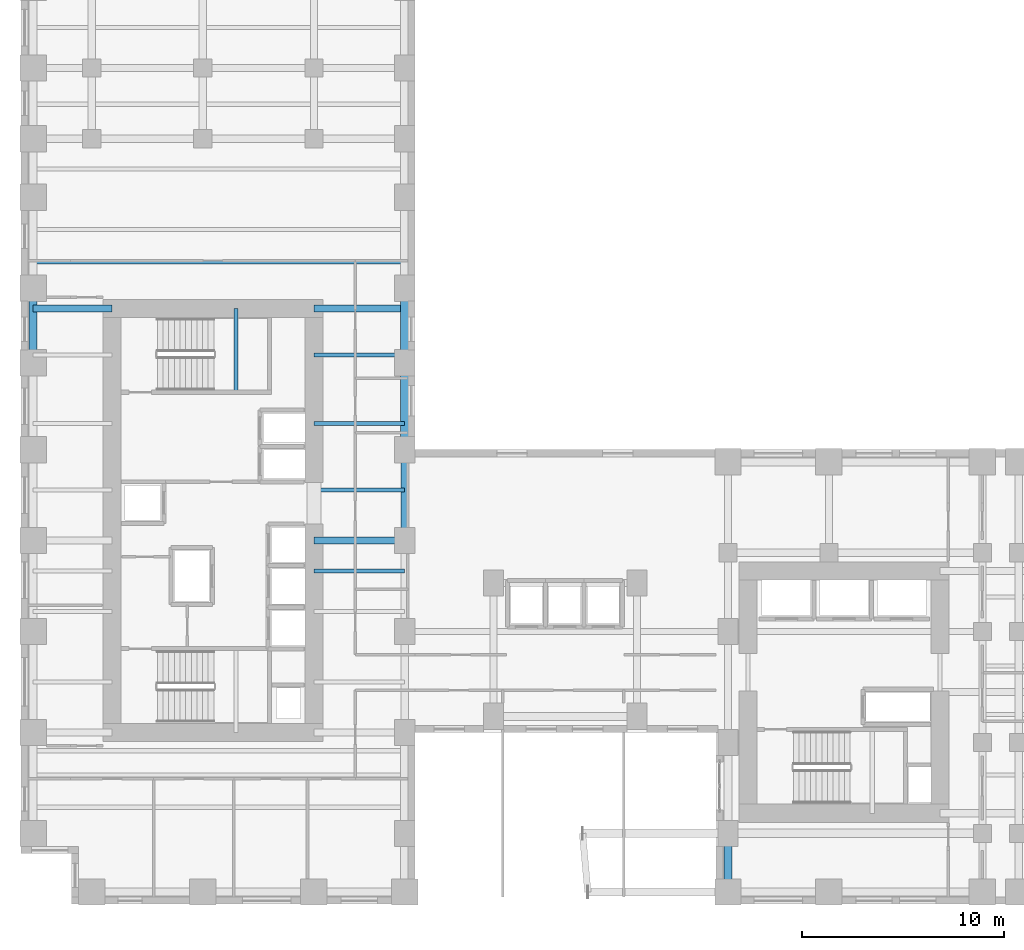
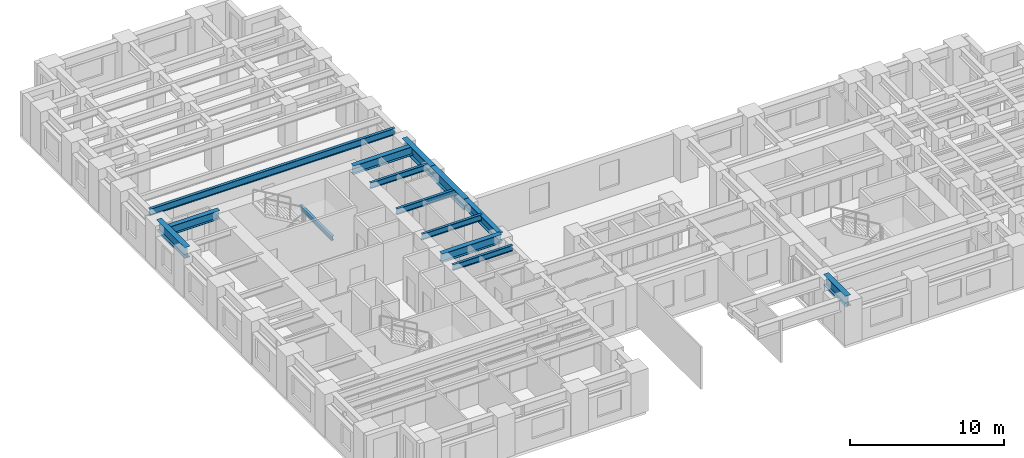
# One storey, part 2 of 14: 14 beams.
"""IFC4 building model written with IfcOpenShell, lengths in metres."""

from ifc_helpers import new_model, si_unit, direction, frame, origin, origin_2d, place, context, subcontext, project, spatial, i_section, extrude, source, transform, mapped, material, material_profile, profile_set, type_object, element, save


model = new_model("IFC4")

# Units and contexts
model_context = context("Model", 3, precision=1e-05, world=origin(), true_north=direction((0.0, 1.0)))
body_context = subcontext(model_context, "Body", "Model", "MODEL_VIEW")
ifc_project = project(units=[si_unit("LENGTHUNIT", "METRE"), si_unit("AREAUNIT", "SQUARE_METRE"), si_unit("VOLUMEUNIT", "CUBIC_METRE"), si_unit("PLANEANGLEUNIT", "RADIAN"), si_unit("MASSUNIT", "GRAM", prefix="KILO")], contexts=[model_context])

# Site, building, storey
site_placement = place(None, origin())
site = spatial("IfcSite", under=ifc_project, at=site_placement, CompositionType="ELEMENT")
building_placement = place(site_placement, origin())
building = spatial("IfcBuilding", under=site, at=building_placement, Name="Kharzan Plaza Tower", CompositionType="ELEMENT")
storey_placement = place(building_placement, frame((0.0, 0.0, 29.699951171875)))
storey = spatial("IfcBuildingStorey", under=building, at=storey_placement, Name="L07", CompositionType="ELEMENT", Elevation=29.699951171875)

# Beams
ifc_material = material(Name="Steel S355", Category="steel")
ifc_material_profile_1 = material_profile(ifc_material, i_section(OverallWidth=0.205078125, OverallDepth=0.35400390625, WebThickness=0.009521484375, FlangeThickness=0.016845703125, at=origin_2d()), Name="W360x79")
ifc_profile_set_1 = profile_set([ifc_material_profile_1], Name="Steel S355")
beam_type_1 = type_object("IfcBeamType", Name="BM-LNT360", PredefinedType="LINTEL", material=ifc_profile_set_1)
shared_shape_1 = source(origin(), body_context, "Body", "SweptSolid", [
    extrude(i_section(OverallWidth=0.205078125, OverallDepth=0.35400390625, WebThickness=0.009521484375, FlangeThickness=0.016845703125, at=origin_2d()), origin(), (0.0, 0.0, 1.0), 4.155029296875),
])
beam_1_placement = place(storey_placement, frame((10.64990234375, 25.344970703125, 1.423095703125), z_axis=(0.0, 1.0, 0.0), x_axis=(-1.0, 0.0, 0.0)))
element("IfcBeam", 1, at=beam_1_placement, inside=storey, type_object=beam_type_1, Name="L07 Stair ST-2 Half-Landing Beam", PredefinedType="LINTEL", context=body_context, shape_type="MappedRepresentation", body=[
    mapped(shared_shape_1, transform((0.0, 0.0, 0.0), x_axis=(1.0, 0.0, 0.0), y_axis=(0.0, 1.0, 0.0), z_axis=(0.0, 0.0, 1.0))),
])
ifc_material_profile_2 = material_profile(ifc_material, i_section(OverallWidth=0.35498046875, OverallDepth=0.695068359375, WebThickness=0.015380859375, FlangeThickness=0.02490234375, at=origin_2d()), Name="W690x217")
ifc_profile_set_2 = profile_set([ifc_material_profile_2], Name="Steel S355")
beam_type_2 = type_object("IfcBeamType", Name="BM-FG690A", PredefinedType="BEAM", material=ifc_profile_set_2)
shared_shape_2 = source(origin(), body_context, "Body", "SweptSolid", [
    extrude(i_section(OverallWidth=0.35498046875, OverallDepth=0.695068359375, WebThickness=0.015380859375, FlangeThickness=0.02490234375, at=origin_2d()), origin(), (0.0, 0.0, 1.0), 4.5),
])
for number, where, z_axis, x_axis, name in (
    (2, (14.5, 18.0, 3.032470703125), (1.0, 0.0, 0.0), (0.0, 1.0, 0.0), "L07 Core-A East Floor Girder 2"),
    (3, (14.5, 29.5, 3.032470703125), (1.0, 0.0, 0.0), (0.0, 1.0, 0.0), "L07 Core-A East Floor Girder 3"),
    (4, (19.0, 18.0, 3.032470703125), (0.0, 1.0, 0.0), (-1.0, 0.0, 0.0), "L07 Interior Frame Girder"),
):
    element("IfcBeam", number, at=place(storey_placement, frame(where, z_axis=z_axis, x_axis=x_axis)), inside=storey, type_object=beam_type_2, Name=name, PredefinedType="BEAM", context=body_context, shape_type="MappedRepresentation", body=[
        mapped(shared_shape_2, transform((0.0, 0.0, 0.0), x_axis=(1.0, 0.0, 0.0), y_axis=(0.0, 1.0, 0.0), z_axis=(0.0, 0.0, 1.0))),
    ])
shared_shape_3 = source(origin(), body_context, "Body", "SweptSolid", [
    extrude(i_section(OverallWidth=0.35498046875, OverallDepth=0.695068359375, WebThickness=0.015380859375, FlangeThickness=0.02490234375, at=origin_2d()), origin(), (0.0, 0.0, 1.0), 3.89990234375),
])
beam_2_placement = place(storey_placement, frame((0.60009765625, 29.5, 3.032470703125), z_axis=(1.0, 0.0, 0.0), x_axis=(0.0, 1.0, 0.0)))
element("IfcBeam", 5, at=beam_2_placement, inside=storey, type_object=beam_type_2, Name="L07 Core-A West Floor Girder 3", PredefinedType="BEAM", context=body_context, shape_type="MappedRepresentation", body=[
    mapped(shared_shape_3, transform((0.0, 0.0, 0.0), x_axis=(1.0, 0.0, 0.0), y_axis=(0.0, 1.0, 0.0), z_axis=(0.0, 0.0, 1.0))),
])
ifc_material_profile_3 = material_profile(ifc_material, i_section(OverallWidth=0.2099609375, OverallDepth=0.537109375, WebThickness=0.010986328125, FlangeThickness=0.017333984375, at=origin_2d()), Name="W530x101")
ifc_profile_set_3 = profile_set([ifc_material_profile_3], Name="Steel S355")
beam_type_3 = type_object("IfcBeamType", Name="BM-JST530B", PredefinedType="JOIST", material=ifc_profile_set_3)
shared_shape_4 = source(origin(), body_context, "Body", "SweptSolid", [
    extrude(i_section(OverallWidth=0.2099609375, OverallDepth=0.537109375, WebThickness=0.010986328125, FlangeThickness=0.017333984375, at=origin_2d()), origin(), (0.0, 0.0, 1.0), 18.39990234375),
])
beam_3_placement = place(storey_placement, frame((0.60009765625, 31.800048828125, 3.111572265625), z_axis=(1.0, 0.0, 0.0), x_axis=(0.0, 1.0, 0.0)))
element("IfcBeam", 6, at=beam_3_placement, inside=storey, type_object=beam_type_3, Name="L07 Wing A Composite Joist 04", PredefinedType="JOIST", context=body_context, shape_type="MappedRepresentation", body=[
    mapped(shared_shape_4, transform((0.0, 0.0, 0.0), x_axis=(1.0, 0.0, 0.0), y_axis=(0.0, 1.0, 0.0), z_axis=(0.0, 0.0, 1.0))),
])
ifc_material_profile_4 = material_profile(ifc_material, i_section(OverallWidth=0.194091796875, OverallDepth=0.468994140625, WebThickness=0.011474609375, FlangeThickness=0.0205078125, at=origin_2d()), Name="W460x106")
ifc_profile_set_4 = profile_set([ifc_material_profile_4], Name="Steel S355")
beam_type_4 = type_object("IfcBeamType", Name="BM-JST460", PredefinedType="JOIST", material=ifc_profile_set_4)
shared_shape_5 = source(origin(), body_context, "Body", "SweptSolid", [
    extrude(i_section(OverallWidth=0.194091796875, OverallDepth=0.468994140625, WebThickness=0.011474609375, FlangeThickness=0.0205078125, at=origin_2d()), origin(), (0.0, 0.0, 1.0), 4.5),
])
for number, where, z_axis, x_axis, name in (
    (7, (14.5, 16.5, 3.1455078125), (1.0, 0.0, 0.0), (0.0, 1.0, 0.0), "L07 Wing A East Infill Joist 3"),
    (8, (14.5, 20.5, 3.1455078125), (1.0, 0.0, 0.0), (0.0, 1.0, 0.0), "L07 Wing A East Infill Joist 4"),
    (9, (14.5, 23.800048828125, 3.1455078125), (1.0, 0.0, 0.0), (0.0, 1.0, 0.0), "L07 Wing A East Infill Joist 5"),
    (10, (14.5, 27.199951171875, 3.1455078125), (1.0, 0.0, 0.0), (0.0, 1.0, 0.0), "L07 Wing A East Infill Joist 6"),
):
    element("IfcBeam", number, at=place(storey_placement, frame(where, z_axis=z_axis, x_axis=x_axis)), inside=storey, type_object=beam_type_4, Name=name, PredefinedType="JOIST", context=body_context, shape_type="MappedRepresentation", body=[
        mapped(shared_shape_5, transform((0.0, 0.0, 0.0), x_axis=(1.0, 0.0, 0.0), y_axis=(0.0, 1.0, 0.0), z_axis=(0.0, 0.0, 1.0))),
    ])
ifc_material_profile_5 = material_profile(ifc_material, i_section(OverallWidth=0.40087890625, OverallDepth=0.85498046875, WebThickness=0.018310546875, FlangeThickness=0.029296875, at=origin_2d()), Name="W840x299")
ifc_profile_set_5 = profile_set([ifc_material_profile_5], Name="Steel S355")
beam_type_5 = type_object("IfcBeamType", Name="BM-SP840A", PredefinedType="SPANDREL", material=ifc_profile_set_5)
shared_shape_6 = source(origin(), body_context, "Body", "SweptSolid", [
    extrude(i_section(OverallWidth=0.40087890625, OverallDepth=0.85498046875, WebThickness=0.018310546875, FlangeThickness=0.029296875, at=origin_2d()), origin(), (0.0, 0.0, 1.0), 4.300048828125),
])
beam_4_placement = place(storey_placement, frame((19.0, 22.5, 2.95263671875), z_axis=(0.0, 1.0, 0.0), x_axis=(-1.0, 0.0, 0.0)))
element("IfcBeam", 11, at=beam_4_placement, inside=storey, type_object=beam_type_5, Name="L07 Perimeter Tube Spandrel", PredefinedType="SPANDREL", context=body_context, shape_type="MappedRepresentation", body=[
    mapped(shared_shape_6, transform((0.0, 0.0, 0.0), x_axis=(1.0, 0.0, 0.0), y_axis=(0.0, 1.0, 0.0), z_axis=(0.0, 0.0, 1.0))),
])
shared_shape_7 = source(origin(), body_context, "Body", "SweptSolid", [
    extrude(i_section(OverallWidth=0.40087890625, OverallDepth=0.85498046875, WebThickness=0.018310546875, FlangeThickness=0.029296875, at=origin_2d()), origin(), (0.0, 0.0, 1.0), 3.699951171875),
])
for number, where, z_axis, x_axis, name in (
    (12, (0.60009765625, 26.800048828125, 2.95263671875), (0.0, 1.0, 0.0), (-1.0, 0.0, 0.0), "L07 Perimeter Tube Spandrel"),
    (13, (19.0, 26.800048828125, 2.95263671875), (0.0, 1.0, 0.0), (-1.0, 0.0, 0.0), "L07 Perimeter Tube Spandrel"),
):
    element("IfcBeam", number, at=place(storey_placement, frame(where, z_axis=z_axis, x_axis=x_axis)), inside=storey, type_object=beam_type_5, Name=name, PredefinedType="SPANDREL", context=body_context, shape_type="MappedRepresentation", body=[
        mapped(shared_shape_7, transform((0.0, 0.0, 0.0), x_axis=(1.0, 0.0, 0.0), y_axis=(0.0, 1.0, 0.0), z_axis=(0.0, 0.0, 1.0))),
    ])
shared_shape_8 = source(origin(), body_context, "Body", "SweptSolid", [
    extrude(i_section(OverallWidth=0.40087890625, OverallDepth=0.85498046875, WebThickness=0.018310546875, FlangeThickness=0.029296875, at=origin_2d()), origin(), (0.0, 0.0, 1.0), 2.89990234375),
])
beam_5_placement = place(storey_placement, frame((35.0, 0.60009765625, 2.95263671875), z_axis=(0.0, 1.0, 0.0), x_axis=(-1.0, 0.0, 0.0)))
element("IfcBeam", 14, at=beam_5_placement, inside=storey, type_object=beam_type_5, Name="L07 Perimeter Tube Spandrel", PredefinedType="SPANDREL", context=body_context, shape_type="MappedRepresentation", body=[
    mapped(shared_shape_8, transform((0.0, 0.0, 0.0), x_axis=(1.0, 0.0, 0.0), y_axis=(0.0, 1.0, 0.0), z_axis=(0.0, 0.0, 1.0))),
])

save(model, "model.ifc")
